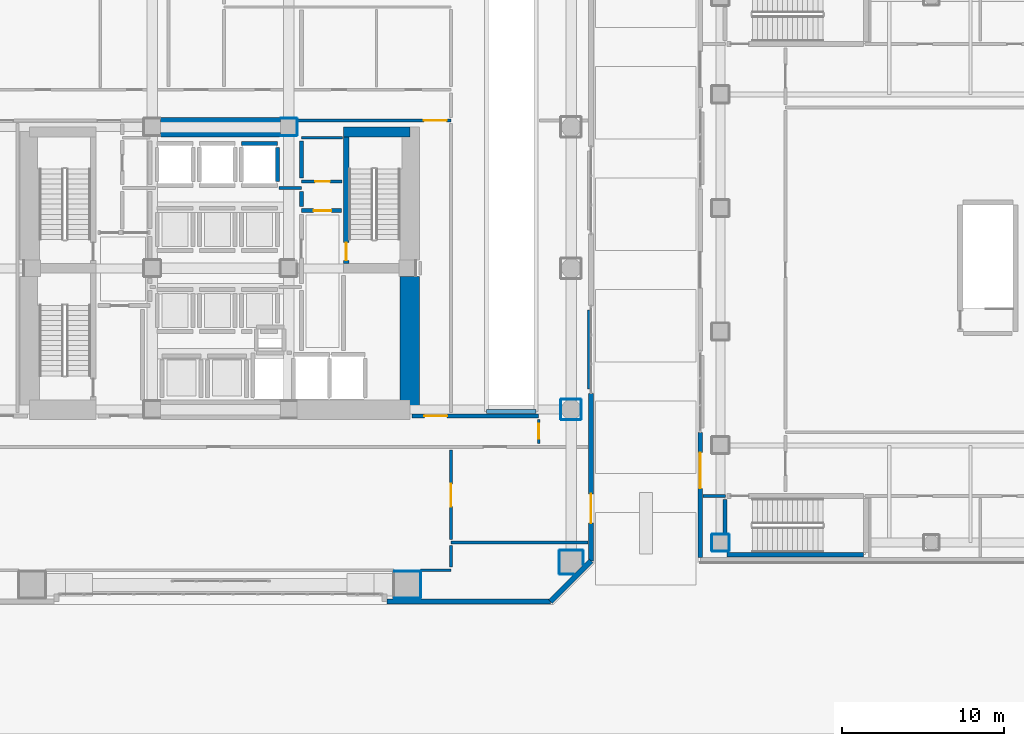
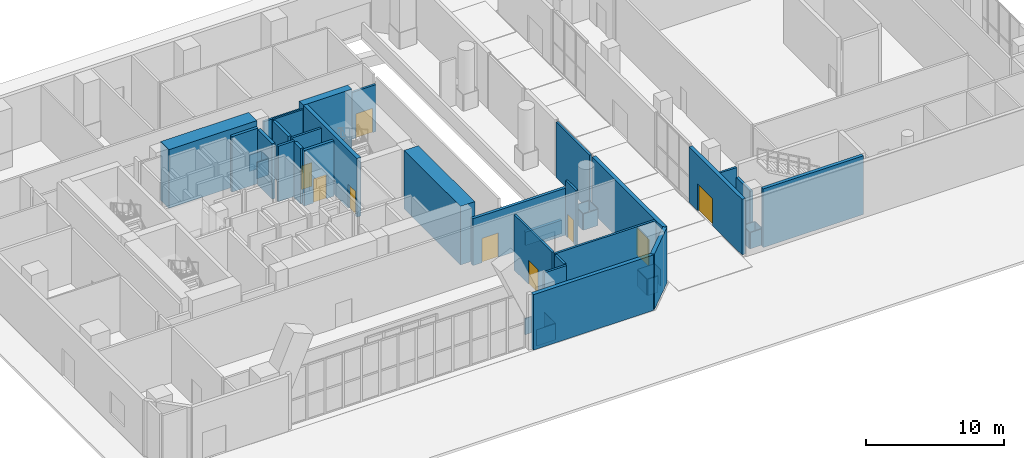
# One storey, part 22 of 30: 46 walls, 9 doors, 9 openings.
"""IFC4 building model written with IfcOpenShell, lengths in metres."""

from ifc_helpers import new_model, si_unit, direction, frame, frame_2d, origin, place, context, subcontext, project, spatial, rectangle, extrude, material, layer, layer_set, type_object, element, fill, save


model = new_model("IFC4")

# Units and contexts
model_context = context("Model", 3, precision=1e-05, world=origin(), true_north=direction((0.0, 1.0)))
body_context = subcontext(model_context, "Body", "Model", "MODEL_VIEW")
ifc_project = project(units=[si_unit("LENGTHUNIT", "METRE"), si_unit("AREAUNIT", "SQUARE_METRE"), si_unit("VOLUMEUNIT", "CUBIC_METRE"), si_unit("PLANEANGLEUNIT", "RADIAN"), si_unit("MASSUNIT", "GRAM", prefix="KILO")], contexts=[model_context])

# Site, building, storey
site_placement = place(None, origin())
site = spatial("IfcSite", under=ifc_project, at=site_placement, CompositionType="ELEMENT")
building_placement = place(site_placement, origin())
building = spatial("IfcBuilding", under=site, at=building_placement, Name="Solanera Arch Residences", CompositionType="ELEMENT")
storey_placement = place(building_placement, origin())
storey = spatial("IfcBuildingStorey", under=building, at=storey_placement, Name="L00", CompositionType="ELEMENT", Elevation=0.0)

# Walls
ifc_material_1 = material(Name="Fire-Rated Gypsum Stud Partition", Category="gypsum")
ifc_layer_1 = layer(ifc_material_1, 0.06005859375)
ifc_layer_set_1 = layer_set([ifc_layer_1], Name="Fire-Rated Gypsum Stud Partition")
wall_type_1 = type_object("IfcWallType", Name="Column Acoustic Furring Wall 60", PredefinedType="PARTITIONING", material=ifc_layer_set_1)
for number, where, z_axis, x_axis, name in (
    (1, (28.7099609375, 38.867919921875, 0.0), (0.0, 0.0, 1.0), (1.0, 0.0, 0.0), "L00 Column Furring 4S"),
    (2, (28.7099609375, 39.931884765625, 0.0), (0.0, 0.0, 1.0), (1.0, 0.0, 0.0), "L00 Column Furring 4N"),
):
    element("IfcWall", number, at=place(storey_placement, frame(where, z_axis=z_axis, x_axis=x_axis)), inside=storey, type_object=wall_type_1, Name=name, PredefinedType="PARTITIONING", context=body_context, shape_type="SweptSolid", body=[
        extrude(rectangle(XDim=0.989990234375, YDim=0.06005859375, at=frame_2d((0.4951171875, 0.0))), origin(), (0.0, 0.0, 1.0), 1.449951171875),
    ])
wall_1_placement = place(storey_placement, frame((29.73193359375, 38.89990234375, 0.0), z_axis=(0.0, 0.0, 1.0), x_axis=(0.0, 1.0, 0.0)))
element("IfcWall", 3, at=wall_1_placement, inside=storey, type_object=wall_type_1, Name="L00 Column Furring 4E", PredefinedType="PARTITIONING", context=body_context, shape_type="SweptSolid", body=[
    extrude(rectangle(XDim=1.0, YDim=0.06005859375, at=frame_2d((0.5, 0.0))), origin(), (0.0, 0.0, 1.0), 1.449951171875),
])
for number, where, z_axis, x_axis, name in (
    (4, (35.699951171875, 10.367919921875, 0.0), (0.0, 0.0, 1.0), (1.0, 0.0, 0.0), "L00 Column Furring 10S"),
    (5, (35.699951171875, 12.031982421875, 0.0), (0.0, 0.0, 1.0), (1.0, 0.0, 0.0), "L00 Column Furring 10N"),
    (6, (37.33203125, 10.39990234375, 0.0), (0.0, 0.0, 1.0), (0.0, 1.0, 0.0), "L00 Column Furring 10E"),
):
    element("IfcWall", number, at=place(storey_placement, frame(where, z_axis=z_axis, x_axis=x_axis)), inside=storey, type_object=wall_type_1, Name=name, PredefinedType="PARTITIONING", context=body_context, shape_type="SweptSolid", body=[
        extrude(rectangle(XDim=1.60009765625, YDim=0.06005859375, at=frame_2d((0.800048828125, 0.0))), origin(), (0.0, 0.0, 1.0), 1.449951171875),
    ])
for number, where, z_axis, x_axis, name in (
    (7, (46.0, 21.367919921875, 0.0), (0.0, 0.0, 1.0), (1.0, 0.0, 0.0), "L00 Column Furring 18S"),
    (8, (46.0, 22.632080078125, 0.0), (0.0, 0.0, 1.0), (1.0, 0.0, 0.0), "L00 Column Furring 18N"),
):
    element("IfcWall", number, at=place(storey_placement, frame(where, z_axis=z_axis, x_axis=x_axis)), inside=storey, type_object=wall_type_1, Name=name, PredefinedType="PARTITIONING", context=body_context, shape_type="SweptSolid", body=[
        extrude(rectangle(XDim=1.199951171875, YDim=0.06005859375, at=frame_2d((0.60009765625, 0.0))), origin(), (0.0, 0.0, 1.0), 1.449951171875),
    ])
for number, where, z_axis, x_axis, name in (
    (9, (45.968017578125, 21.39990234375, 0.0), (0.0, 0.0, 1.0), (0.0, 1.0, 0.0), "L00 Column Furring 18W"),
    (10, (47.23193359375, 21.39990234375, 0.0), (0.0, 0.0, 1.0), (0.0, 1.0, 0.0), "L00 Column Furring 18E"),
):
    element("IfcWall", number, at=place(storey_placement, frame(where, z_axis=z_axis, x_axis=x_axis)), inside=storey, type_object=wall_type_1, Name=name, PredefinedType="PARTITIONING", context=body_context, shape_type="SweptSolid", body=[
        extrude(rectangle(XDim=1.2001953125, YDim=0.06005859375, at=frame_2d((0.60009765625, 0.0))), origin(), (0.0, 0.0, 1.0), 1.449951171875),
    ])
wall_2_placement = place(storey_placement, frame((45.89990234375, 11.867919921875, 0.0), z_axis=(0.0, 0.0, 1.0), x_axis=(1.0, 0.0, 0.0)))
element("IfcWall", 11, at=wall_2_placement, inside=storey, type_object=wall_type_1, Name="L00 Column Furring 22S", PredefinedType="PARTITIONING", context=body_context, shape_type="SweptSolid", body=[
    extrude(rectangle(XDim=0.861083984375, YDim=0.06005859375, at=frame_2d((0.4306640625, 0.0))), origin(), (0.0, 0.0, 1.0), 1.449951171875),
])
for number, where, z_axis, x_axis, name in (
    (12, (45.89990234375, 13.33203125, 0.0), (0.0, 0.0, 1.0), (1.0, 0.0, 0.0), "L00 Column Furring 22N"),
    (13, (45.867919921875, 11.89990234375, 0.0), (0.0, 0.0, 1.0), (0.0, 1.0, 0.0), "L00 Column Furring 22W"),
):
    element("IfcWall", number, at=place(storey_placement, frame(where, z_axis=z_axis, x_axis=x_axis)), inside=storey, type_object=wall_type_1, Name=name, PredefinedType="PARTITIONING", context=body_context, shape_type="SweptSolid", body=[
        extrude(rectangle(XDim=1.400146484375, YDim=0.06005859375, at=frame_2d((0.7001953125, 0.0))), origin(), (0.0, 0.0, 1.0), 1.449951171875),
    ])
wall_3_placement = place(storey_placement, frame((47.33203125, 12.43896484375, 0.0), z_axis=(0.0, 0.0, 1.0), x_axis=(0.0, 1.0, 0.0)))
element("IfcWall", 14, at=wall_3_placement, inside=storey, type_object=wall_type_1, Name="L00 Column Furring 22E", PredefinedType="PARTITIONING", context=body_context, shape_type="SweptSolid", body=[
    extrude(rectangle(XDim=0.861083984375, YDim=0.06005859375, at=frame_2d((0.4306640625, 0.0))), origin(), (0.0, 0.0, 1.0), 1.449951171875),
])
for number, where, z_axis, x_axis, name in (
    (15, (55.300048828125, 13.26806640625, 0.0), (0.0, 0.0, 1.0), (1.0, 0.0, 0.0), "L00 Column Furring 25S"),
    (16, (55.300048828125, 14.33203125, 0.0), (0.0, 0.0, 1.0), (1.0, 0.0, 0.0), "L00 Column Furring 25N"),
    (17, (55.26806640625, 13.300048828125, 0.0), (0.0, 0.0, 1.0), (0.0, 1.0, 0.0), "L00 Column Furring 25W"),
    (18, (56.33203125, 13.300048828125, 0.0), (0.0, 0.0, 1.0), (0.0, 1.0, 0.0), "L00 Column Furring 25E"),
):
    element("IfcWall", number, at=place(storey_placement, frame(where, z_axis=z_axis, x_axis=x_axis)), inside=storey, type_object=wall_type_1, Name=name, PredefinedType="PARTITIONING", context=body_context, shape_type="SweptSolid", body=[
        extrude(rectangle(XDim=1.0, YDim=0.06005859375, at=frame_2d((0.5, 0.0))), origin(), (0.0, 0.0, 1.0), 1.449951171875),
    ])
ifc_material_2 = material(Name="Concrete C55/67 (f'c = 60 MPa)", Category="concrete")
ifc_layer_2 = layer(ifc_material_2, 1.199951171875)
ifc_layer_set_2 = layer_set([ifc_layer_2], Name="Concrete C55/67 (f'c = 60 MPa)")
wall_type_2 = type_object("IfcWallType", Name="Core Shear Wall CW-1200", PredefinedType="SHEAR", material=ifc_layer_set_2)
wall_4_placement = place(storey_placement, frame((36.659912109375, 22.0, 0.0), z_axis=(0.0, 0.0, 1.0), x_axis=(0.0, 1.0, 0.0)))
element("IfcWall", 19, at=wall_4_placement, inside=storey, type_object=wall_type_2, Name="L00 East Core South Shear Wall", PredefinedType="SHEAR", context=body_context, shape_type="SweptSolid", body=[
    extrude(rectangle(XDim=8.195068359375, YDim=1.199951171875, at=frame_2d((4.09765625, 0.0))), origin(), (0.0, 0.0, 1.0), 5.199951171875),
])
wall_5_placement = place(storey_placement, frame((21.304931640625, 39.39990234375, 0.0), z_axis=(0.0, 0.0, 1.0), x_axis=(1.0, 0.0, 0.0)))
element("IfcWall", 20, at=wall_5_placement, inside=storey, type_object=wall_type_2, Name="L00 Central North Core Shear Wall", PredefinedType="SHEAR", context=body_context, shape_type="SweptSolid", body=[
    extrude(rectangle(XDim=7.39013671875, YDim=1.199951171875, at=frame_2d((3.695068359375, 0.0))), origin(), (0.0, 0.0, 1.0), 5.199951171875),
])

# Wall, opening, door
ifc_material_3 = material(Name="Concrete C40/50 (f'c = 45 MPa)", Category="concrete")
ifc_layer_3 = layer(ifc_material_3, 0.320068359375)
ifc_layer_set_3 = layer_set([ifc_layer_3], Name="Concrete C40/50 (f'c = 45 MPa)")
wall_type_3 = type_object("IfcWallType", Name="Core Shear Wall CW-320", PredefinedType="SHEAR", material=ifc_layer_set_3)
wall_6_placement = place(storey_placement, frame((32.739990234375, 31.0, 0.0), z_axis=(0.0, 0.0, 1.0), x_axis=(0.0, 1.0, 0.0)))
wall_6 = element("IfcWall", 21, at=wall_6_placement, inside=storey, type_object=wall_type_3, Name="L00 Stair ST-T2 West Shear Wall", PredefinedType="SHEAR", context=body_context, shape_type="SweptSolid", body=[
    extrude(rectangle(XDim=7.800048828125, YDim=0.320068359375, at=frame_2d((3.89990234375, 0.0))), origin(), (0.0, 0.0, 1.0), 5.199951171875),
])
opening_1_placement = place(wall_6_placement, frame((0.18994140625, 0.0, 0.0)))
opening_1 = element("IfcOpeningElement", 22, at=opening_1_placement, cuts=wall_6, Name="Opening DF-01", PredefinedType="OPENING", context=body_context, shape_type="SweptSolid", body=[
    extrude(rectangle(XDim=1.10009765625, YDim=2.14990234375, at=frame_2d((0.550048828125, 1.074951171875))), frame((0.0, 0.169921875, 0.0), z_axis=(0.0, -1.0, 0.0), x_axis=(1.0, 0.0, 0.0)), (0.0, 0.0, 1.0), 0.3401),
])
ifc_material_4 = material(Name="Fire-Rated Architectural Hardwood", Category="wood")
door_type_1 = type_object("IfcDoorType", Name="Stair Exit Fire Door DF-01", OperationType="NOTDEFINED", PredefinedType="DOOR", material=ifc_material_4)
door_1_placement = place(opening_1_placement, origin())
door_1 = element("IfcDoor", 23, at=door_1_placement, inside=storey, type_object=door_type_1, Name="DR-L00-STAIR-ST-T2", OperationType="SINGLE_SWING_RIGHT", OverallHeight=2.14990234375, OverallWidth=1.10009765625, PredefinedType="DOOR", context=body_context, shape_type="SweptSolid", body=[
    extrude(rectangle(XDim=1.10009765625, YDim=2.14990234375, at=frame_2d((0.550048828125, 1.074951171875))), frame((0.0, 0.02490234375, 0.0), z_axis=(0.0, -1.0, 0.0), x_axis=(1.0, 0.0, 0.0)), (0.0, 0.0, 1.0), 0.050048828125),
])
fill(opening_1, door_1)

# Walls
wall_7_placement = place(storey_placement, frame((56.199951171875, 13.06005859375, 0.0), z_axis=(0.0, 0.0, 1.0), x_axis=(1.0, 0.0, 0.0)))
element("IfcWall", 24, at=wall_7_placement, inside=storey, type_object=wall_type_3, Name="L00 Stair ST-H1 South Shear Wall", PredefinedType="SHEAR", context=body_context, shape_type="SweptSolid", body=[
    extrude(rectangle(XDim=8.400146484375, YDim=0.280029296875, at=frame_2d((4.2001953125, 0.0))), origin(), (0.0, 0.0, 1.0), 5.199951171875),
])
ifc_material_5 = material(Name="Concrete C40/50 (f'c = 45 MPa)", Category="concrete")
ifc_layer_4 = layer(ifc_material_5, 0.60009765625)
ifc_layer_set_4 = layer_set([ifc_layer_4], Name="Concrete C40/50 (f'c = 45 MPa)")
wall_type_4 = type_object("IfcWallType", Name="Core Shear Wall CW-600", PredefinedType="SHEAR", material=ifc_layer_set_4)
wall_8_placement = place(storey_placement, frame((32.580078125, 39.10009765625, 0.0), z_axis=(0.0, 0.0, 1.0), x_axis=(1.0, 0.0, 0.0)))
element("IfcWall", 25, at=wall_8_placement, inside=storey, type_object=wall_type_4, Name="L00 North-East Core Shear Wall", PredefinedType="SHEAR", context=body_context, shape_type="SweptSolid", body=[
    extrude(rectangle(XDim=4.079833984375, YDim=0.60009765625, at=frame_2d((2.0400390625, 0.0))), origin(), (0.0, 0.0, 1.0), 5.199951171875),
])
ifc_material_6 = material(Name="Autoclaved Aerated Concrete Blockwork", Category="masonry")
ifc_layer_5 = layer(ifc_material_6, 0.179931640625)
ifc_layer_set_5 = layer_set([ifc_layer_5], Name="Autoclaved Aerated Concrete Blockwork")
wall_type_5 = type_object("IfcWallType", Name="Corridor Fire Partition 180", PredefinedType="PARTITIONING", material=ifc_layer_set_5)
wall_9_placement = place(storey_placement, frame((37.320068359375, 12.10009765625, 0.0), z_axis=(0.0, 0.0, 1.0), x_axis=(1.0, 0.0, 0.0)))
element("IfcWall", 26, at=wall_9_placement, inside=storey, type_object=wall_type_5, Name="L00 Interior Partition H10 3", PredefinedType="PARTITIONING", context=body_context, shape_type="SweptSolid", body=[
    extrude(rectangle(XDim=1.8798828125, YDim=0.179931640625, at=frame_2d((0.93994140625, 0.0))), origin(), (0.0, 0.0, 1.0), 4.919921875),
])
wall_10_placement = place(storey_placement, frame((39.199951171875, 13.800048828125, 0.0), z_axis=(0.0, 0.0, 1.0), x_axis=(1.0, 0.0, 0.0)))
element("IfcWall", 27, at=wall_10_placement, inside=storey, type_object=wall_type_5, Name="L00 Interior Partition H12", PredefinedType="PARTITIONING", context=body_context, shape_type="SweptSolid", body=[
    extrude(rectangle(XDim=8.447998046875, YDim=0.179931640625, at=frame_2d((4.22412109375, 0.0))), origin(), (0.0, 0.0, 1.0), 4.919921875),
])
wall_11_placement = place(storey_placement, frame((54.7119140625, 16.679931640625, 0.0), z_axis=(0.0, 0.0, 1.0), x_axis=(1.0, 0.0, 0.0)))
element("IfcWall", 28, at=wall_11_placement, inside=storey, type_object=wall_type_5, Name="L00 Interior Partition H13 1", PredefinedType="PARTITIONING", context=body_context, shape_type="SweptSolid", body=[
    extrude(rectangle(XDim=1.38818359375, YDim=0.179931640625, at=frame_2d((0.694091796875, 0.0))), origin(), (0.0, 0.0, 1.0), 4.919921875),
])

# Wall, opening, door
wall_12_placement = place(storey_placement, frame((29.97509765625, 36.050048828125, 0.0), z_axis=(0.0, 0.0, 1.0), x_axis=(1.0, 0.0, 0.0)))
wall_12 = element("IfcWall", 29, at=wall_12_placement, inside=storey, type_object=wall_type_5, Name="L00 Interior Partition H16", PredefinedType="PARTITIONING", context=body_context, shape_type="SweptSolid", body=[
    extrude(rectangle(XDim=2.5048828125, YDim=0.179931640625, at=frame_2d((1.25244140625, 0.0))), origin(), (0.0, 0.0, 1.0), 4.919921875),
])
opening_2_placement = place(wall_12_placement, frame((0.85205078125, 0.0, 0.0)))
opening_2 = element("IfcOpeningElement", 30, at=opening_2_placement, cuts=wall_12, Name="Opening DI-02", PredefinedType="OPENING", context=body_context, shape_type="SweptSolid", body=[
    extrude(rectangle(XDim=0.89990234375, YDim=2.10009765625, at=frame_2d((0.449951171875, 1.050048828125))), frame((0.0, 0.10009765625, 0.0), z_axis=(0.0, -1.0, 0.0), x_axis=(1.0, 0.0, 0.0)), (0.0, 0.0, 1.0), 0.1999),
])
ifc_material_7 = material(Name="Fire-Rated Architectural Hardwood", Category="wood")
door_type_2 = type_object("IfcDoorType", Name="Suite Room Swing Door DI-02", OperationType="NOTDEFINED", PredefinedType="DOOR", material=ifc_material_7)
door_2_placement = place(opening_2_placement, origin())
door_2 = element("IfcDoor", 31, at=door_2_placement, inside=storey, type_object=door_type_2, Name="DR-L00-IN-030", OperationType="SINGLE_SWING_RIGHT", OverallHeight=2.10009765625, OverallWidth=0.89990234375, PredefinedType="DOOR", context=body_context, shape_type="SweptSolid", body=[
    extrude(rectangle(XDim=0.89990234375, YDim=2.10009765625, at=frame_2d((0.449951171875, 1.050048828125))), frame((0.0, 0.02490234375, 0.0), z_axis=(0.0, -1.0, 0.0), x_axis=(1.0, 0.0, 0.0)), (0.0, 0.0, 1.0), 0.050048828125),
])
fill(opening_2, door_2)

wall_13_placement = place(storey_placement, frame((29.802001953125, 39.800048828125, 0.0), z_axis=(0.0, 0.0, 1.0), x_axis=(1.0, 0.0, 0.0)))
wall_13 = element("IfcWall", 32, at=wall_13_placement, inside=storey, type_object=wall_type_5, Name="L00 Interior Partition H18 2", PredefinedType="PARTITIONING", context=body_context, shape_type="SweptSolid", body=[
    extrude(rectangle(XDim=9.39794921875, YDim=0.179931640625, at=frame_2d((4.698974609375, 0.0))), origin(), (0.0, 0.0, 1.0), 4.155029296875),
])
opening_3_placement = place(wall_13_placement, frame((7.72412109375, 0.0, 0.0)))
opening_3 = element("IfcOpeningElement", 33, at=opening_3_placement, cuts=wall_13, Name="Opening DF-03", PredefinedType="OPENING", context=body_context, shape_type="SweptSolid", body=[
    extrude(rectangle(XDim=1.39990234375, YDim=2.14990234375, at=frame_2d((0.699951171875, 1.074951171875))), frame((0.0, 0.10009765625, 0.0), z_axis=(0.0, -1.0, 0.0), x_axis=(1.0, 0.0, 0.0)), (0.0, 0.0, 1.0), 0.1999),
])
ifc_material_8 = material(Name="Fire-Rated Architectural Hardwood", Category="wood")
door_type_3 = type_object("IfcDoorType", Name="Corridor Smoke Door DF-03", OperationType="NOTDEFINED", PredefinedType="DOOR", material=ifc_material_8)
door_3_placement = place(opening_3_placement, origin())
door_3 = element("IfcDoor", 34, at=door_3_placement, inside=storey, type_object=door_type_3, Name="DR-L00-IN-020", OperationType="SINGLE_SWING_RIGHT", OverallHeight=2.14990234375, OverallWidth=1.39990234375, PredefinedType="DOOR", context=body_context, shape_type="SweptSolid", body=[
    extrude(rectangle(XDim=1.39990234375, YDim=2.14990234375, at=frame_2d((0.699951171875, 1.074951171875))), frame((0.0, 0.02490234375, 0.0), z_axis=(0.0, -1.0, 0.0), x_axis=(1.0, 0.0, 0.0)), (0.0, 0.0, 1.0), 0.050048828125),
])
fill(opening_3, door_3)

# Wall
wall_14_placement = place(storey_placement, frame((39.199951171875, 12.2880859375, 0.0), z_axis=(0.0, 0.0, 1.0), x_axis=(0.0, 1.0, 0.0)))
element("IfcWall", 35, at=wall_14_placement, inside=storey, type_object=wall_type_5, Name="L00 Interior Partition V14 1", PredefinedType="PARTITIONING", context=body_context, shape_type="SweptSolid", body=[
    extrude(rectangle(XDim=1.323974609375, YDim=0.179931640625, at=frame_2d((0.662109375, 0.0))), origin(), (0.0, 0.0, 1.0), 4.919921875),
])

# Wall, opening, door
wall_15_placement = place(storey_placement, frame((39.199951171875, 13.988037109375, 0.0), z_axis=(0.0, 0.0, 1.0), x_axis=(0.0, 1.0, 0.0)))
wall_15 = element("IfcWall", 36, at=wall_15_placement, inside=storey, type_object=wall_type_5, Name="L00 Interior Partition V14 2", PredefinedType="PARTITIONING", context=body_context, shape_type="SweptSolid", body=[
    extrude(rectangle(XDim=5.513916015625, YDim=0.179931640625, at=frame_2d((2.7568359375, 0.0))), origin(), (0.0, 0.0, 1.0), 4.919921875),
])
opening_4_placement = place(wall_15_placement, frame((2.037109375, 0.0, 0.0)))
opening_4 = element("IfcOpeningElement", 37, at=opening_4_placement, cuts=wall_15, Name="Opening DF-03", PredefinedType="OPENING", context=body_context, shape_type="SweptSolid", body=[
    extrude(rectangle(XDim=1.39990234375, YDim=2.14990234375, at=frame_2d((0.699951171875, 1.074951171875))), frame((0.0, 0.10009765625, 0.0), z_axis=(0.0, -1.0, 0.0), x_axis=(1.0, 0.0, 0.0)), (0.0, 0.0, 1.0), 0.1999),
])
door_4_placement = place(opening_4_placement, origin())
door_4 = element("IfcDoor", 38, at=door_4_placement, inside=storey, type_object=door_type_3, Name="DR-L00-IN-023", OperationType="SINGLE_SWING_LEFT", OverallHeight=2.14990234375, OverallWidth=1.39990234375, PredefinedType="DOOR", context=body_context, shape_type="SweptSolid", body=[
    extrude(rectangle(XDim=1.39990234375, YDim=2.14990234375, at=frame_2d((0.699951171875, 1.074951171875))), frame((0.0, 0.02490234375, 0.0), z_axis=(0.0, -1.0, 0.0), x_axis=(1.0, 0.0, 0.0)), (0.0, 0.0, 1.0), 0.050048828125),
])
fill(opening_4, door_4)

wall_16_placement = place(storey_placement, frame((44.60009765625, 19.89794921875, 0.0), z_axis=(0.0, 0.0, 1.0), x_axis=(0.0, 1.0, 0.0)))
wall_16 = element("IfcWall", 39, at=wall_16_placement, inside=storey, type_object=wall_type_5, Name="L00 Interior Partition V16", PredefinedType="PARTITIONING", context=body_context, shape_type="SweptSolid", body=[
    extrude(rectangle(XDim=1.484130859375, YDim=0.179931640625, at=frame_2d((0.7421875, 0.0))), origin(), (0.0, 0.0, 1.0), 4.919921875),
])
opening_5_placement = place(wall_16_placement, frame((0.31591796875, 0.0, 0.0)))
opening_5 = element("IfcOpeningElement", 40, at=opening_5_placement, cuts=wall_16, Name="Opening DI-02", PredefinedType="OPENING", context=body_context, shape_type="SweptSolid", body=[
    extrude(rectangle(XDim=0.89990234375, YDim=2.10009765625, at=frame_2d((0.449951171875, 1.050048828125))), frame((0.0, 0.10009765625, 0.0), z_axis=(0.0, -1.0, 0.0), x_axis=(1.0, 0.0, 0.0)), (0.0, 0.0, 1.0), 0.1999),
])
door_5_placement = place(opening_5_placement, origin())
door_5 = element("IfcDoor", 41, at=door_5_placement, inside=storey, type_object=door_type_2, Name="DR-L00-IN-041", OperationType="SINGLE_SWING_LEFT", OverallHeight=2.10009765625, OverallWidth=0.89990234375, PredefinedType="DOOR", context=body_context, shape_type="SweptSolid", body=[
    extrude(rectangle(XDim=0.89990234375, YDim=2.10009765625, at=frame_2d((0.449951171875, 1.050048828125))), frame((0.0, 0.02490234375, 0.0), z_axis=(0.0, -1.0, 0.0), x_axis=(1.0, 0.0, 0.0)), (0.0, 0.0, 1.0), 0.050048828125),
])
fill(opening_5, door_5)

# Wall
wall_17_placement = place(storey_placement, frame((47.699951171875, 23.27001953125, 0.0), z_axis=(0.0, 0.0, 1.0), x_axis=(0.0, 1.0, 0.0)))
element("IfcWall", 42, at=wall_17_placement, inside=storey, type_object=wall_type_5, Name="L00 Interior Partition V17 1", PredefinedType="PARTITIONING", context=body_context, shape_type="SweptSolid", body=[
    extrude(rectangle(XDim=4.85986328125, YDim=0.179931640625, at=frame_2d((2.429931640625, 0.0))), origin(), (0.0, 0.0, 1.0), 4.919921875),
])

# Wall, opening, door
ifc_material_9 = material(Name="Precast Concrete C35/45", Category="concrete")
ifc_layer_6 = layer(ifc_material_9, 0.300048828125)
ifc_layer_set_6 = layer_set([ifc_layer_6], Name="Precast Concrete C35/45")
wall_type_6 = type_object("IfcWallType", Name="Exterior Wall Precast Masonry-Frame 300", PredefinedType="STANDARD", material=ifc_layer_set_6)
wall_18_placement = place(storey_placement, frame((54.550048828125, 12.89990234375, 0.0), z_axis=(0.0, 0.0, 1.0), x_axis=(0.0, 1.0, 0.0)))
wall_18 = element("IfcWall", 43, at=wall_18_placement, inside=storey, type_object=wall_type_6, Name="L00 Sports Hall West Pier 1", PredefinedType="STANDARD", context=body_context, shape_type="SweptSolid", body=[
    extrude(rectangle(XDim=7.7001953125, YDim=0.300048828125, at=frame_2d((3.85009765625, 0.0))), origin(), (0.0, 0.0, 1.0), 4.919921875),
])
opening_6_placement = place(wall_18_placement, frame((4.25, 0.0, 0.0)))
opening_6 = element("IfcOpeningElement", 44, at=opening_6_placement, cuts=wall_18, Name="Opening EX-03", PredefinedType="OPENING", context=body_context, shape_type="SweptSolid", body=[
    extrude(rectangle(XDim=2.199951171875, YDim=2.39990234375, at=frame_2d((1.10009765625, 1.199951171875))), frame((0.0, 0.159912109375, 0.0), z_axis=(0.0, -1.0, 0.0), x_axis=(1.0, 0.0, 0.0)), (0.0, 0.0, 1.0), 0.32),
])
ifc_material_10 = material(Name="Anodised Aluminium Alloy 6063-T6", Category="aluminium")
door_type_4 = type_object("IfcDoorType", Name="Arena Public Exit Double Door EX-03", OperationType="NOTDEFINED", PredefinedType="DOOR", material=ifc_material_10)
door_6_placement = place(opening_6_placement, origin())
door_6 = element("IfcDoor", 45, at=door_6_placement, inside=storey, type_object=door_type_4, Name="DR-L00-EX-SH-W1", OperationType="DOUBLE_DOOR_SINGLE_SWING", OverallHeight=2.39990234375, OverallWidth=2.199951171875, PredefinedType="DOOR", context=body_context, shape_type="SweptSolid", body=[
    extrude(rectangle(XDim=2.199951171875, YDim=2.39990234375, at=frame_2d((1.10009765625, 1.199951171875))), frame((0.0, 0.02490234375, 0.0), z_axis=(0.0, -1.0, 0.0), x_axis=(1.0, 0.0, 0.0)), (0.0, 0.0, 1.0), 0.050048828125),
])
fill(opening_6, door_6)

ifc_material_11 = material(Name="Precast Concrete C35/45", Category="concrete")
ifc_layer_7 = layer(ifc_material_11, 0.320068359375)
ifc_layer_set_7 = layer_set([ifc_layer_7], Name="Precast Concrete C35/45")
wall_type_7 = type_object("IfcWallType", Name="Exterior Wall Precast Masonry-Frame 320", PredefinedType="STANDARD", material=ifc_layer_set_7)
wall_19_placement = place(storey_placement, frame((47.820068359375, 23.0, 0.0), z_axis=(0.0, 0.0, 1.0), x_axis=(0.0, -1.0, 0.0)))
wall_19 = element("IfcWall", 46, at=wall_19_placement, inside=storey, type_object=wall_type_7, Name="L00 Podium East Paseo Pier 3", PredefinedType="STANDARD", context=body_context, shape_type="SweptSolid", body=[
    extrude(rectangle(XDim=10.320068359375, YDim=0.320068359375, at=frame_2d((5.16015625, 0.0))), origin(), (0.0, 0.0, 1.0), 4.919921875),
])
opening_7_placement = place(wall_19_placement, frame((6.199951171875, 0.0, 0.0)))
opening_7 = element("IfcOpeningElement", 47, at=opening_7_placement, cuts=wall_19, Name="Opening EX-02", PredefinedType="OPENING", context=body_context, shape_type="SweptSolid", body=[
    extrude(rectangle(XDim=1.800048828125, YDim=2.39990234375, at=frame_2d((0.89990234375, 1.199951171875))), frame((0.0, 0.169921875, 0.0), z_axis=(0.0, -1.0, 0.0), x_axis=(1.0, 0.0, 0.0)), (0.0, 0.0, 1.0), 0.3401),
])
ifc_material_12 = material(Name="Anodised Aluminium Alloy 6063-T6", Category="aluminium")
door_type_5 = type_object("IfcDoorType", Name="Paseo Retail Entrance Door EX-02", OperationType="NOTDEFINED", PredefinedType="DOOR", material=ifc_material_12)
door_7_placement = place(opening_7_placement, origin())
door_7 = element("IfcDoor", 48, at=door_7_placement, inside=storey, type_object=door_type_5, Name="DR-L00-PASEO-TWR", OperationType="DOUBLE_DOOR_SINGLE_SWING", OverallHeight=2.39990234375, OverallWidth=1.800048828125, PredefinedType="DOOR", context=body_context, shape_type="SweptSolid", body=[
    extrude(rectangle(XDim=1.800048828125, YDim=2.39990234375, at=frame_2d((0.89990234375, 1.199951171875))), frame((0.0, 0.02490234375, 0.0), z_axis=(0.0, -1.0, 0.0), x_axis=(1.0, 0.0, 0.0)), (0.0, 0.0, 1.0), 0.050048828125),
])
fill(opening_7, door_7)

# Walls
wall_20_placement = place(storey_placement, frame((47.820068359375, 12.679931640625, 0.0), z_axis=(0.0, 0.0, 1.0), x_axis=(-0.707106781187, -0.707106781187, 0.0)))
element("IfcWall", 49, at=wall_20_placement, inside=storey, type_object=wall_type_7, Name="L00 Podium Precast Masonry-Frame Wall 6", PredefinedType="STANDARD", context=body_context, shape_type="SweptSolid", body=[
    extrude(rectangle(XDim=3.53564453125, YDim=0.320068359375, at=frame_2d((1.767822265625, 0.0))), origin(), (0.0, 0.0, 1.0), 4.919921875),
])
wall_21_placement = place(storey_placement, frame((45.320068359375, 10.179931640625, 0.0), z_axis=(0.0, 0.0, 1.0), x_axis=(-1.0, 0.0, 0.0)))
element("IfcWall", 50, at=wall_21_placement, inside=storey, type_object=wall_type_7, Name="L00 Podium South-East Precast Pier Wall", PredefinedType="STANDARD", context=body_context, shape_type="SweptSolid", body=[
    extrude(rectangle(XDim=10.06005859375, YDim=0.320068359375, at=frame_2d((5.030029296875, 0.0))), origin(), (0.0, 0.0, 1.0), 4.919921875),
])
ifc_material_13 = material(Name="Precast Concrete C35/45", Category="concrete")
ifc_layer_8 = layer(ifc_material_13, 0.239990234375)
ifc_layer_set_8 = layer_set([ifc_layer_8], Name="Precast Concrete C35/45")
wall_type_8 = type_object("IfcWallType", Name="Parapet Wall Precast 240", PredefinedType="PARAPET", material=ifc_layer_set_8)
wall_22_placement = place(storey_placement, frame((41.3798828125, 21.8798828125, 0.0), z_axis=(0.0, 0.0, 1.0), x_axis=(1.0, 0.0, 0.0)))
element("IfcWall", 51, at=wall_22_placement, inside=storey, type_object=wall_type_8, Name="L00 Exit Ramp South Parapet Wall", PredefinedType="PARAPET", context=body_context, shape_type="SweptSolid", body=[
    extrude(rectangle(XDim=3.0400390625, YDim=0.239990234375, at=frame_2d((1.52001953125, 0.0))), origin(), (0.0, 0.0, 1.0), 1.199951171875),
])
ifc_material_14 = material(Name="Autoclaved Aerated Concrete Blockwork", Category="masonry")
ifc_layer_9 = layer(ifc_material_14, 0.199951171875)
ifc_layer_set_9 = layer_set([ifc_layer_9], Name="Autoclaved Aerated Concrete Blockwork")
wall_type_9 = type_object("IfcWallType", Name="Party Wall Acoustic 200", PredefinedType="PARTITIONING", material=ifc_layer_set_9)
wall_23_placement = place(storey_placement, frame((28.60400390625, 35.64990234375, 0.0), z_axis=(0.0, 0.0, 1.0), x_axis=(1.0, 0.0, 0.0)))
element("IfcWall", 52, at=wall_23_placement, inside=storey, type_object=wall_type_9, Name="L00 Interior Partition H9 2", PredefinedType="PARTITIONING", context=body_context, shape_type="SweptSolid", body=[
    extrude(rectangle(XDim=1.37109375, YDim=0.199951171875, at=frame_2d((0.685546875, 0.0))), origin(), (0.0, 0.0, 1.0), 4.919921875),
])
ifc_material_15 = material(Name="Autoclaved Aerated Concrete Blockwork", Category="masonry")
ifc_layer_10 = layer(ifc_material_15, 0.239990234375)
ifc_layer_set_10 = layer_set([ifc_layer_10], Name="Autoclaved Aerated Concrete Blockwork")
wall_type_10 = type_object("IfcWallType", Name="Shaft Wall Fire-Rated 240", PredefinedType="PARTITIONING", material=ifc_layer_set_10)
wall_24_placement = place(storey_placement, frame((56.080078125, 14.431884765625, 0.0), z_axis=(0.0, 0.0, 1.0), x_axis=(0.0, 1.0, 0.0)))
element("IfcWall", 53, at=wall_24_placement, inside=storey, type_object=wall_type_10, Name="L00 Stair ST-H1 West Wall", PredefinedType="PARTITIONING", context=body_context, shape_type="SweptSolid", body=[
    extrude(rectangle(XDim=2.0380859375, YDim=0.239990234375, at=frame_2d((1.01904296875, 0.0))), origin(), (0.0, 0.0, 1.0), 4.155029296875),
])
wall_25_placement = place(storey_placement, frame((26.300048828125, 38.39990234375, 0.0), z_axis=(0.0, 0.0, 1.0), x_axis=(1.0, 0.0, 0.0)))
element("IfcWall", 54, at=wall_25_placement, inside=storey, type_object=wall_type_10, Name="L00 Lift PL-L3 Hoistway Wall N", PredefinedType="PARTITIONING", context=body_context, shape_type="SweptSolid", body=[
    extrude(rectangle(XDim=2.199951171875, YDim=0.239990234375, at=frame_2d((1.10009765625, 0.0))), origin(), (0.0, 0.0, 1.0), 4.919921875),
])
wall_26_placement = place(storey_placement, frame((28.5, 36.048095703125, 0.0), z_axis=(0.0, 0.0, 1.0), x_axis=(0.0, 1.0, 0.0)))
element("IfcWall", 55, at=wall_26_placement, inside=storey, type_object=wall_type_10, Name="L00 Lift PL-L3 Hoistway Wall E", PredefinedType="PARTITIONING", context=body_context, shape_type="SweptSolid", body=[
    extrude(rectangle(XDim=2.10400390625, YDim=0.239990234375, at=frame_2d((1.052001953125, 0.0))), origin(), (0.0, 0.0, 1.0), 4.919921875),
])

# Wall, opening, door
wall_27_placement = place(storey_placement, frame((44.60009765625, 21.60009765625, 0.0), z_axis=(0.0, 0.0, 1.0), x_axis=(-1.0, 0.0, 0.0)))
wall_27 = element("IfcWall", 56, at=wall_27_placement, inside=storey, type_object=wall_type_10, Name="L00 Interior Partition H1 1", PredefinedType="PARTITIONING", context=body_context, shape_type="SweptSolid", body=[
    extrude(rectangle(XDim=7.81005859375, YDim=0.239990234375, at=frame_2d((3.905029296875, 0.0))), origin(), (0.0, 0.0, 1.0), 4.155029296875),
])
opening_8_placement = place(wall_27_placement, frame((5.64990234375, 0.0, 0.0)))
opening_8 = element("IfcOpeningElement", 57, at=opening_8_placement, cuts=wall_27, Name="Opening DF-03", PredefinedType="OPENING", context=body_context, shape_type="SweptSolid", body=[
    extrude(rectangle(XDim=1.39990234375, YDim=2.14990234375, at=frame_2d((0.699951171875, 1.074951171875))), frame((0.0, 0.1298828125, 0.0), z_axis=(0.0, -1.0, 0.0), x_axis=(1.0, 0.0, 0.0)), (0.0, 0.0, 1.0), 0.26),
])
door_8_placement = place(opening_8_placement, origin())
door_8 = element("IfcDoor", 58, at=door_8_placement, inside=storey, type_object=door_type_3, Name="DR-L00-IN-016", OperationType="SINGLE_SWING_RIGHT", OverallHeight=2.14990234375, OverallWidth=1.39990234375, PredefinedType="DOOR", context=body_context, shape_type="SweptSolid", body=[
    extrude(rectangle(XDim=1.39990234375, YDim=2.14990234375, at=frame_2d((0.699951171875, 1.074951171875))), frame((0.0, 0.02490234375, 0.0), z_axis=(0.0, -1.0, 0.0), x_axis=(1.0, 0.0, 0.0)), (0.0, 0.0, 1.0), 0.050048828125),
])
fill(opening_8, door_8)

wall_28_placement = place(storey_placement, frame((29.97509765625, 34.25, 0.0), z_axis=(0.0, 0.0, 1.0), x_axis=(1.0, 0.0, 0.0)))
wall_28 = element("IfcWall", 59, at=wall_28_placement, inside=storey, type_object=wall_type_10, Name="L00 Interior Partition H6", PredefinedType="PARTITIONING", context=body_context, shape_type="SweptSolid", body=[
    extrude(rectangle(XDim=2.474853515625, YDim=0.239990234375, at=frame_2d((1.2373046875, 0.0))), origin(), (0.0, 0.0, 1.0), 4.919921875),
])
opening_9_placement = place(wall_28_placement, frame((0.751953125, 0.0, 0.0)))
opening_9 = element("IfcOpeningElement", 60, at=opening_9_placement, cuts=wall_28, Name="Opening DF-02", PredefinedType="OPENING", context=body_context, shape_type="SweptSolid", body=[
    extrude(rectangle(XDim=1.10009765625, YDim=2.14990234375, at=frame_2d((0.550048828125, 1.074951171875))), frame((0.0, 0.1298828125, 0.0), z_axis=(0.0, -1.0, 0.0), x_axis=(1.0, 0.0, 0.0)), (0.0, 0.0, 1.0), 0.26),
])
ifc_material_16 = material(Name="Fire-Rated Architectural Hardwood", Category="wood")
door_type_6 = type_object("IfcDoorType", Name="Firefighting Lobby Fire Door DF-02", OperationType="NOTDEFINED", PredefinedType="DOOR", material=ifc_material_16)
door_9_placement = place(opening_9_placement, origin())
door_9 = element("IfcDoor", 61, at=door_9_placement, inside=storey, type_object=door_type_6, Name="DR-L00-IN-012", OperationType="SINGLE_SWING_RIGHT", OverallHeight=2.14990234375, OverallWidth=1.10009765625, PredefinedType="DOOR", context=body_context, shape_type="SweptSolid", body=[
    extrude(rectangle(XDim=1.10009765625, YDim=2.14990234375, at=frame_2d((0.550048828125, 1.074951171875))), frame((0.0, 0.02490234375, 0.0), z_axis=(0.0, -1.0, 0.0), x_axis=(1.0, 0.0, 0.0)), (0.0, 0.0, 1.0), 0.050048828125),
])
fill(opening_9, door_9)

# Walls
wall_29_placement = place(storey_placement, frame((29.97509765625, 34.498046875, 0.0), z_axis=(0.0, 0.0, 1.0), x_axis=(0.0, 1.0, 0.0)))
element("IfcWall", 62, at=wall_29_placement, inside=storey, type_object=wall_type_10, Name="L00 Interior Partition V4 3", PredefinedType="PARTITIONING", context=body_context, shape_type="SweptSolid", body=[
    extrude(rectangle(XDim=0.924072265625, YDim=0.239990234375, at=frame_2d((0.4619140625, 0.0))), origin(), (0.0, 0.0, 1.0), 4.919921875),
])
wall_30_placement = place(storey_placement, frame((29.97509765625, 36.26806640625, 0.0), z_axis=(0.0, 0.0, 1.0), x_axis=(0.0, 1.0, 0.0)))
element("IfcWall", 63, at=wall_30_placement, inside=storey, type_object=wall_type_10, Name="L00 Interior Partition V4 4", PredefinedType="PARTITIONING", context=body_context, shape_type="SweptSolid", body=[
    extrude(rectangle(XDim=2.283935546875, YDim=0.239990234375, at=frame_2d((1.14208984375, 0.0))), origin(), (0.0, 0.0, 1.0), 4.919921875),
])
ifc_material_17 = material(Name="Autoclaved Aerated Concrete Blockwork", Category="masonry")
ifc_layer_11 = layer(ifc_material_17, 0.139892578125)
ifc_layer_set_11 = layer_set([ifc_layer_11], Name="Autoclaved Aerated Concrete Blockwork")
wall_type_11 = type_object("IfcWallType", Name="Wet-Room Partition 140", PredefinedType="PARTITIONING", material=ifc_layer_set_11)
wall_31_placement = place(storey_placement, frame((29.97509765625, 38.75, 0.0), z_axis=(0.0, 0.0, 1.0), x_axis=(1.0, 0.0, 0.0)))
element("IfcWall", 64, at=wall_31_placement, inside=storey, type_object=wall_type_11, Name="L00 Interior Partition H25", PredefinedType="PARTITIONING", context=body_context, shape_type="SweptSolid", body=[
    extrude(rectangle(XDim=2.52490234375, YDim=0.139892578125, at=frame_2d((1.262451171875, 0.0))), origin(), (0.0, 0.0, 1.0), 4.919921875),
])

save(model, "model.ifc")
